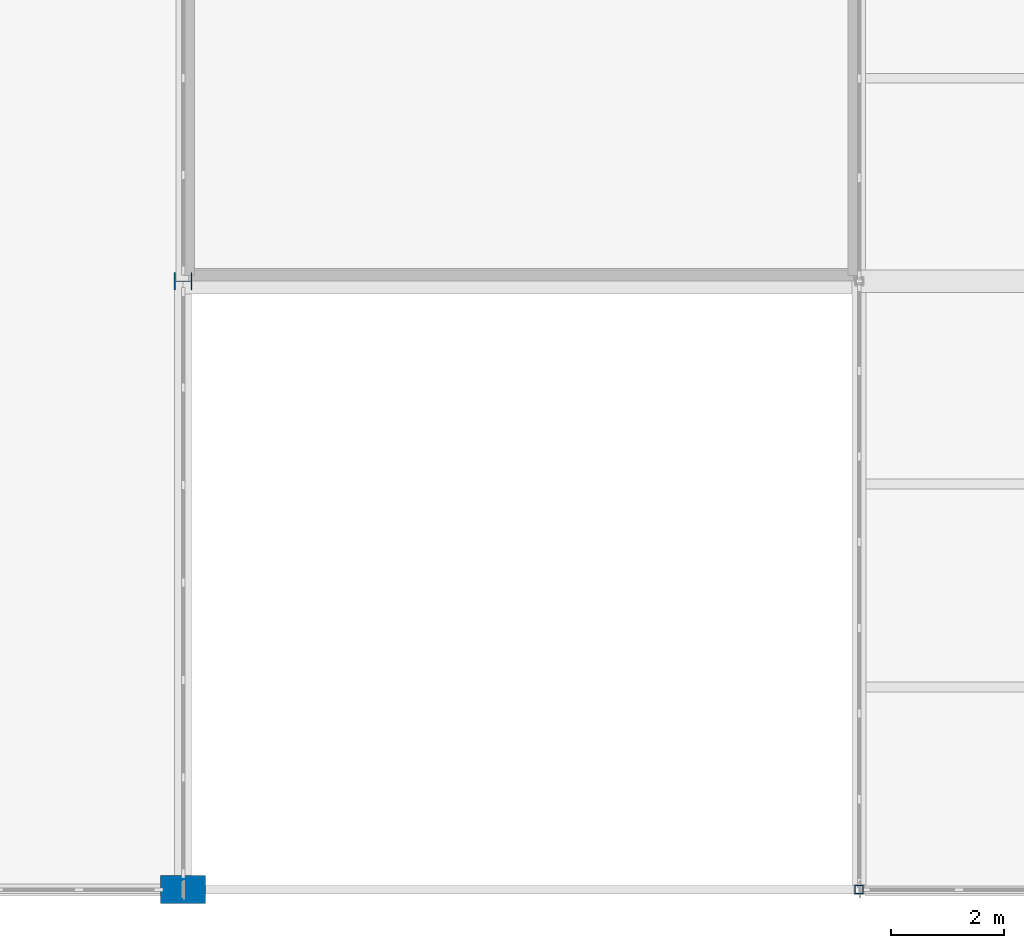
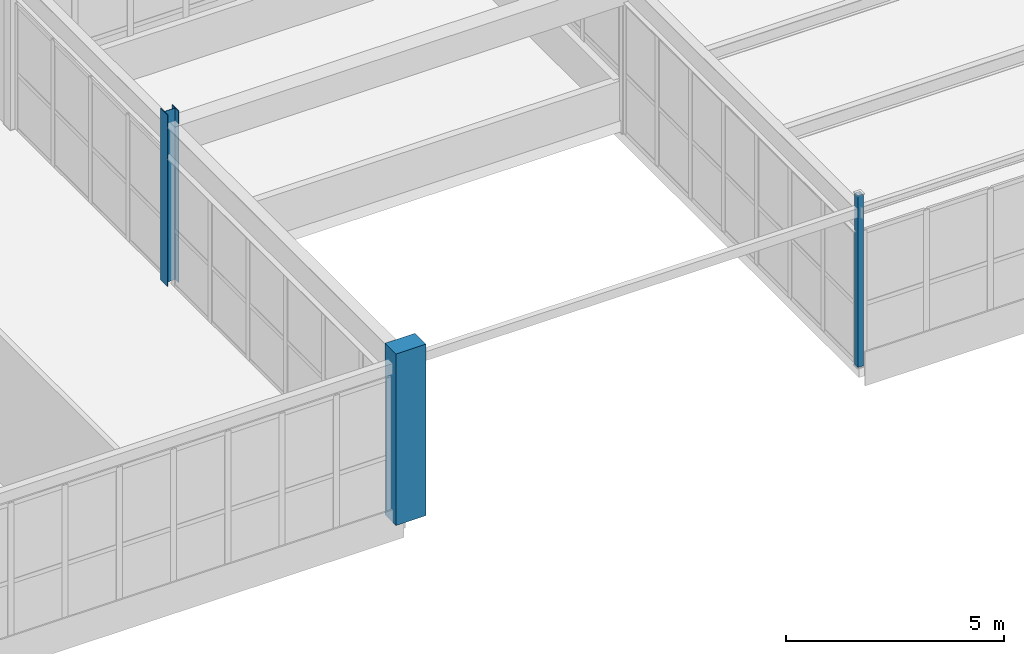
# One storey, part 38 of 226: 3 columns.
"""IFC4 building model written with IfcOpenShell, lengths in metres."""

from ifc_helpers import new_model, si_unit, direction, frame, origin, origin_2d, place, context, subcontext, project, spatial, rectangle, hollow_rectangle, i_section, extrude, material, material_profile, profile_set, type_object, element, save


model = new_model("IFC4")

# Units and contexts
model_context = context("Model", 3, precision=1e-05, world=origin(), true_north=direction((0.0, 1.0)))
body_context = subcontext(model_context, "Body", "Model", "MODEL_VIEW")
ifc_project = project(units=[si_unit("LENGTHUNIT", "METRE"), si_unit("AREAUNIT", "SQUARE_METRE"), si_unit("VOLUMEUNIT", "CUBIC_METRE"), si_unit("PLANEANGLEUNIT", "RADIAN"), si_unit("MASSUNIT", "GRAM", prefix="KILO")], contexts=[model_context])

# Site, building, storey
site_placement = place(None, origin())
site = spatial("IfcSite", under=ifc_project, at=site_placement, CompositionType="ELEMENT")
building_placement = place(site_placement, origin())
building = spatial("IfcBuilding", under=site, at=building_placement, Name="Tarnwether General Hospital", CompositionType="ELEMENT")
storey_placement = place(building_placement, frame((0.0, 0.0, 4.800048828125)))
storey = spatial("IfcBuildingStorey", under=building, at=storey_placement, Name="L01", CompositionType="ELEMENT", Elevation=4.800048828125)

# Columns
ifc_material_1 = material(Name="Steel Grade 350 (350 MPa)", Category="steel")
ifc_material_profile_1 = material_profile(ifc_material_1, i_section(OverallWidth=0.306884765625, OverallDepth=0.31494140625, WebThickness=0.011962890625, FlangeThickness=0.018798828125, at=origin_2d()), Name="310UC118")
ifc_profile_set_1 = profile_set([ifc_material_profile_1], Name="Steel Grade 350 (350 MPa)")
column_type_1 = type_object("IfcColumnType", Name="COL-07", PredefinedType="COLUMN", material=ifc_profile_set_1)
column_1_placement = place(storey_placement, frame((132.0, 10.800048828125, 0.0), z_axis=(0.0, 0.0, 1.0), x_axis=(0.0, 1.0, 0.0)))
element("IfcColumn", 1, at=column_1_placement, inside=storey, type_object=column_type_1, Name="Column COLG-L01-13200_1080", PredefinedType="COLUMN", context=body_context, shape_type="SweptSolid", body=[
    extrude(i_section(OverallWidth=0.306884765625, OverallDepth=0.31494140625, WebThickness=0.011962890625, FlangeThickness=0.018798828125, at=origin_2d()), origin(), (0.0, 0.0, 1.0), 4.800048828125),
])
ifc_material_2 = material(Name="Concrete 50 MPa", Category="concrete")
ifc_material_profile_2 = material_profile(ifc_material_2, rectangle(XDim=0.5, YDim=0.800048828125, at=origin_2d()), Name="RC-PIL-500x800")
ifc_profile_set_2 = profile_set([ifc_material_profile_2], Name="Concrete 50 MPa")
column_type_2 = type_object("IfcColumnType", Name="COL-23", PredefinedType="PILASTER", material=ifc_profile_set_2)
column_2_placement = place(storey_placement, frame((132.0, 0.0, 0.0), z_axis=(0.0, 0.0, 1.0), x_axis=(0.0, 1.0, 0.0)))
element("IfcColumn", 2, at=column_2_placement, inside=storey, type_object=column_type_2, Name="Column COLG-L01-13200_0", PredefinedType="PILASTER", context=body_context, shape_type="SweptSolid", body=[
    extrude(rectangle(XDim=0.5, YDim=0.800048828125, at=origin_2d()), origin(), (0.0, 0.0, 1.0), 4.800048828125),
])
ifc_material_3 = material(Name="Steel Grade C350L0 (350 MPa)", Category="steel")
ifc_material_profile_3 = material_profile(ifc_material_3, hollow_rectangle(XDim=0.14990234375, YDim=0.14990234375, WallThickness=0.008056640625, at=origin_2d()), Name="SHS150x150x8")
ifc_profile_set_3 = profile_set([ifc_material_profile_3], Name="Steel Grade C350L0 (350 MPa)")
column_type_3 = type_object("IfcColumnType", Name="COL-33", PredefinedType="COLUMN", material=ifc_profile_set_3)
column_3_placement = place(storey_placement, frame((144.0, 0.0, 0.0), z_axis=(0.0, 0.0, 1.0), x_axis=(1.0, 0.0, 0.0)))
element("IfcColumn", 3, at=column_3_placement, inside=storey, type_object=column_type_3, Name="Column COLG-L01-14400_0", PredefinedType="COLUMN", context=body_context, shape_type="SweptSolid", body=[
    extrude(hollow_rectangle(XDim=0.14990234375, YDim=0.14990234375, WallThickness=0.008056640625, at=origin_2d()), origin(), (0.0, 0.0, 1.0), 4.800048828125),
])

save(model, "model.ifc")
